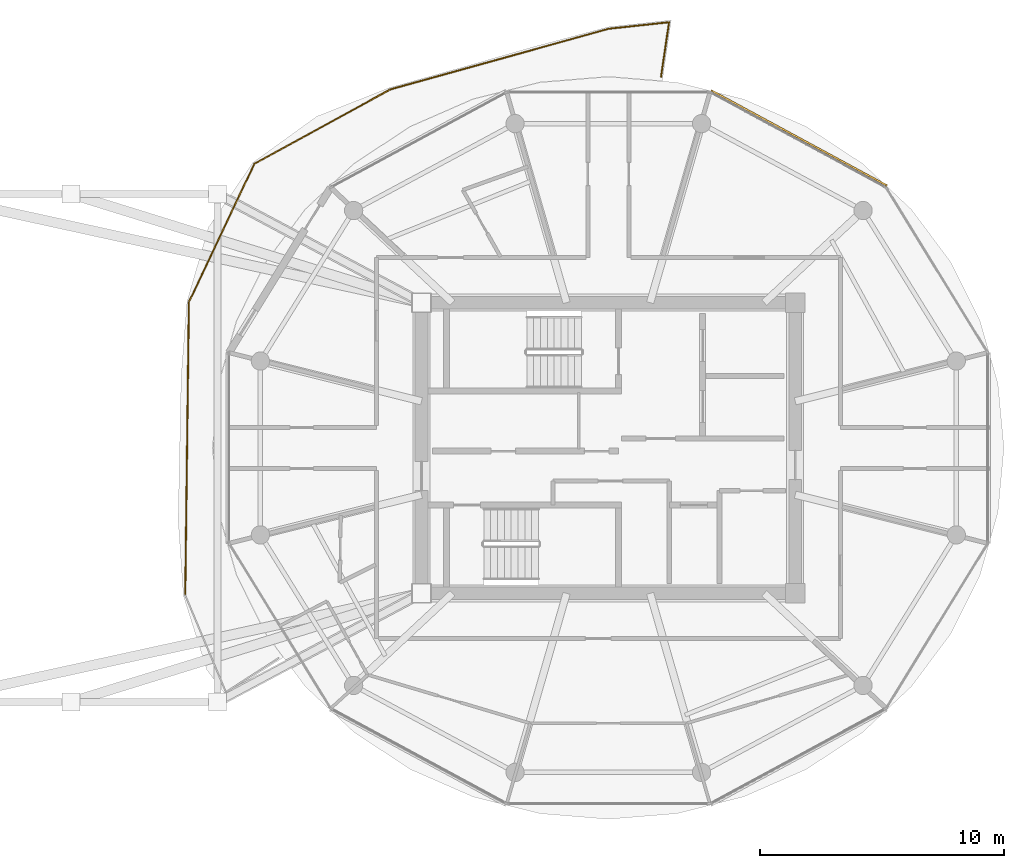
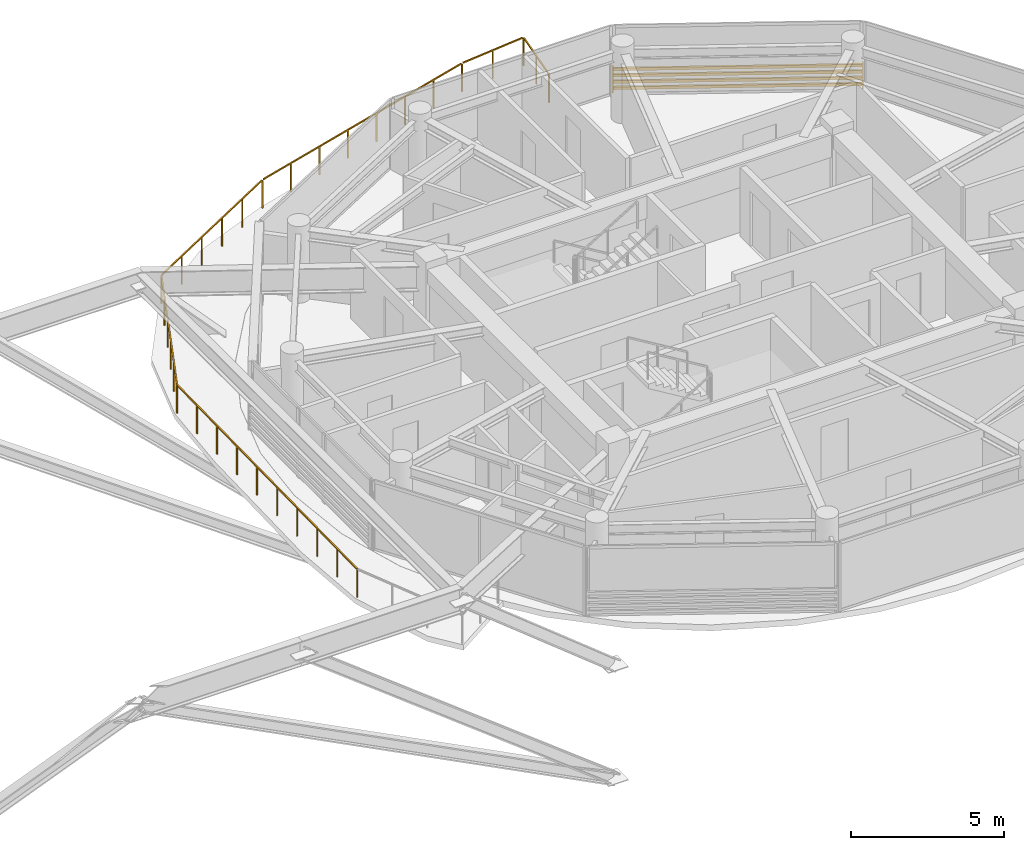
# One storey, part 23 of 23: 1 railing, 1 shading device.
"""IFC4 building model written with IfcOpenShell, lengths in metres."""

from ifc_helpers import new_model, si_unit, direction, frame, origin, origin_2d, place, context, subcontext, project, spatial, rectangle, extrude, source, transform, mapped, material, type_object, type_shapes, element, save


model = new_model("IFC4")

# Units and contexts
model_context = context("Model", 3, precision=1e-05, world=origin(), true_north=direction((0.0, 1.0)))
body_context = subcontext(model_context, "Body", "Model", "MODEL_VIEW")
ifc_project = project(units=[si_unit("LENGTHUNIT", "METRE"), si_unit("AREAUNIT", "SQUARE_METRE"), si_unit("VOLUMEUNIT", "CUBIC_METRE"), si_unit("PLANEANGLEUNIT", "RADIAN"), si_unit("MASSUNIT", "GRAM", prefix="KILO")], contexts=[model_context])

# Site, building, storey
site_placement = place(None, origin())
site = spatial("IfcSite", under=ifc_project, at=site_placement, CompositionType="ELEMENT")
building_placement = place(site_placement, origin())
building = spatial("IfcBuilding", under=site, at=building_placement, Name="Norrkilde Senior Care Towers", CompositionType="ELEMENT")
storey_placement = place(building_placement, frame((0.0, 0.0, 196.75)))
storey = spatial("IfcBuildingStorey", under=building, at=storey_placement, Name="L61", CompositionType="ELEMENT", Elevation=196.75)

# Railing
ifc_material_1 = material(Name="Anodised Aluminium", Category="aluminium")
railing_type = type_object("IfcRailingType", Name="Balcony Swirl Ribbon Guardrail 1150", PredefinedType="GUARDRAIL", material=ifc_material_1)
railing_placement = place(storey_placement, frame((10.67578125, -6.029541015625, 0.0)))
element("IfcRailing", 1, at=railing_placement, inside=storey, type_object=railing_type, Name="L61 Perimeter Safety Guard 01", PredefinedType="GUARDRAIL", context=body_context, shape_type="SweptSolid", body=[
    extrude(rectangle(XDim=0.048095703125, YDim=0.048095703125, at=origin_2d()), frame((0.0, 0.0, 1.1259765625), z_axis=(0.012387169958, 0.999923276067, 0.0), x_axis=(-0.999923276067, 0.012387169958, 0.0)), (0.0, 0.0, 1.0), 11.9619140625),
    extrude(rectangle(XDim=0.048095703125, YDim=0.048095703125, at=origin_2d()), frame((0.166259765625, 12.038818359375, 1.1259765625), z_axis=(0.427895258045, 0.903828328911, 0.0), x_axis=(-0.903828328911, 0.427895258045, 0.0)), (0.0, 0.0, 1.0), 6.1796875),
    extrude(rectangle(XDim=0.048095703125, YDim=0.048095703125, at=origin_2d()), frame((2.86376953125, 17.6806640625, 1.1259765625), z_axis=(0.876916603029, 0.480642560884, 0.0), x_axis=(-0.480642560884, 0.876916603029, 0.0)), (0.0, 0.0, 1.0), 6.258544921875),
    extrude(rectangle(XDim=0.048095703125, YDim=0.048095703125, at=origin_2d()), frame((8.427001953125, 20.719482421875, 1.1259765625), z_axis=(0.963527698075, 0.267608622886, 0.0), x_axis=(-0.267608622886, 0.963527698075, 0.0)), (0.0, 0.0, 1.0), 9.208251953125),
    extrude(rectangle(XDim=0.048095703125, YDim=0.048095703125, at=origin_2d()), frame((17.37939453125, 23.198974609375, 1.1259765625), z_axis=(0.994152720815, 0.107983182465, 0.0), x_axis=(-0.107983182465, 0.994152720815, 0.0)), (0.0, 0.0, 1.0), 2.403076171875),
    extrude(rectangle(XDim=0.048095703125, YDim=0.048095703125, at=origin_2d()), frame((19.80322265625, 23.42236328125, 1.1259765625), z_axis=(-0.145590667204, -0.989344913376, 0.0), x_axis=(0.989344913376, -0.145590667204, 0.0)), (0.0, 0.0, 1.0), 2.212890625),
    extrude(rectangle(XDim=0.0419921875, YDim=0.0419921875, at=origin_2d()), origin(), (0.0, 0.0, 1.0), 1.099853515625),
    extrude(rectangle(XDim=0.0419921875, YDim=0.0419921875, at=origin_2d()), frame((0.0166015625, 1.33349609375, 0.0)), (0.0, 0.0, 1.0), 1.099853515625),
    extrude(rectangle(XDim=0.0419921875, YDim=0.0419921875, at=origin_2d()), frame((0.032958984375, 2.6669921875, 0.0)), (0.0, 0.0, 1.0), 1.099853515625),
    extrude(rectangle(XDim=0.0419921875, YDim=0.0419921875, at=origin_2d()), frame((0.049560546875, 4.000732421875, 0.0)), (0.0, 0.0, 1.0), 1.099853515625),
    extrude(rectangle(XDim=0.0419921875, YDim=0.0419921875, at=origin_2d()), frame((0.066162109375, 5.334228515625, 0.0)), (0.0, 0.0, 1.0), 1.099853515625),
    extrude(rectangle(XDim=0.0419921875, YDim=0.0419921875, at=origin_2d()), frame((0.08251953125, 6.667724609375, 0.0)), (0.0, 0.0, 1.0), 1.099853515625),
    extrude(rectangle(XDim=0.0419921875, YDim=0.0419921875, at=origin_2d()), frame((0.09912109375, 8.001220703125, 0.0)), (0.0, 0.0, 1.0), 1.099853515625),
    extrude(rectangle(XDim=0.0419921875, YDim=0.0419921875, at=origin_2d()), frame((0.11572265625, 9.3349609375, 0.0)), (0.0, 0.0, 1.0), 1.099853515625),
    extrude(rectangle(XDim=0.0419921875, YDim=0.0419921875, at=origin_2d()), frame((0.132080078125, 10.66845703125, 0.0)), (0.0, 0.0, 1.0), 1.099853515625),
    extrude(rectangle(XDim=0.0419921875, YDim=0.0419921875, at=origin_2d()), frame((0.148681640625, 12.001953125, 0.0)), (0.0, 0.0, 1.0), 1.099853515625),
    extrude(rectangle(XDim=0.0419921875, YDim=0.0419921875, at=origin_2d()), frame((0.6845703125, 13.1337890625, 0.0)), (0.0, 0.0, 1.0), 1.099853515625),
    extrude(rectangle(XDim=0.0419921875, YDim=0.0419921875, at=origin_2d()), frame((1.220458984375, 14.265625, 0.0)), (0.0, 0.0, 1.0), 1.099853515625),
    extrude(rectangle(XDim=0.0419921875, YDim=0.0419921875, at=origin_2d()), frame((1.756103515625, 15.3974609375, 0.0)), (0.0, 0.0, 1.0), 1.099853515625),
    extrude(rectangle(XDim=0.0419921875, YDim=0.0419921875, at=origin_2d()), frame((2.2919921875, 16.529296875, 0.0)), (0.0, 0.0, 1.0), 1.099853515625),
    extrude(rectangle(XDim=0.0419921875, YDim=0.0419921875, at=origin_2d()), frame((2.827880859375, 17.6611328125, 0.0)), (0.0, 0.0, 1.0), 1.099853515625),
    extrude(rectangle(XDim=0.0419921875, YDim=0.0419921875, at=origin_2d()), frame((3.93994140625, 18.2705078125, 0.0)), (0.0, 0.0, 1.0), 1.099853515625),
    extrude(rectangle(XDim=0.0419921875, YDim=0.0419921875, at=origin_2d()), frame((5.0517578125, 18.880126953125, 0.0)), (0.0, 0.0, 1.0), 1.099853515625),
    extrude(rectangle(XDim=0.0419921875, YDim=0.0419921875, at=origin_2d()), frame((6.163818359375, 19.489501953125, 0.0)), (0.0, 0.0, 1.0), 1.099853515625),
    extrude(rectangle(XDim=0.0419921875, YDim=0.0419921875, at=origin_2d()), frame((7.275634765625, 20.09912109375, 0.0)), (0.0, 0.0, 1.0), 1.099853515625),
    extrude(rectangle(XDim=0.0419921875, YDim=0.0419921875, at=origin_2d()), frame((8.3876953125, 20.70849609375, 0.0)), (0.0, 0.0, 1.0), 1.099853515625),
    extrude(rectangle(XDim=0.0419921875, YDim=0.0419921875, at=origin_2d()), frame((9.66650390625, 21.063720703125, 0.0)), (0.0, 0.0, 1.0), 1.099853515625),
    extrude(rectangle(XDim=0.0419921875, YDim=0.0419921875, at=origin_2d()), frame((10.945068359375, 21.418701171875, 0.0)), (0.0, 0.0, 1.0), 1.099853515625),
    extrude(rectangle(XDim=0.0419921875, YDim=0.0419921875, at=origin_2d()), frame((12.223876953125, 21.77392578125, 0.0)), (0.0, 0.0, 1.0), 1.099853515625),
    extrude(rectangle(XDim=0.0419921875, YDim=0.0419921875, at=origin_2d()), frame((13.502685546875, 22.129150390625, 0.0)), (0.0, 0.0, 1.0), 1.099853515625),
    extrude(rectangle(XDim=0.0419921875, YDim=0.0419921875, at=origin_2d()), frame((14.781494140625, 22.484375, 0.0)), (0.0, 0.0, 1.0), 1.099853515625),
    extrude(rectangle(XDim=0.0419921875, YDim=0.0419921875, at=origin_2d()), frame((16.06005859375, 22.83935546875, 0.0)), (0.0, 0.0, 1.0), 1.099853515625),
    extrude(rectangle(XDim=0.0419921875, YDim=0.0419921875, at=origin_2d()), frame((17.3388671875, 23.194580078125, 0.0)), (0.0, 0.0, 1.0), 1.099853515625),
    extrude(rectangle(XDim=0.0419921875, YDim=0.0419921875, at=origin_2d()), frame((18.573974609375, 23.32861328125, 0.0)), (0.0, 0.0, 1.0), 1.099853515625),
    extrude(rectangle(XDim=0.0419921875, YDim=0.0419921875, at=origin_2d()), frame((19.80908203125, 23.462890625, 0.0)), (0.0, 0.0, 1.0), 1.099853515625),
    extrude(rectangle(XDim=0.0419921875, YDim=0.0419921875, at=origin_2d()), frame((19.64501953125, 22.34814453125, 0.0)), (0.0, 0.0, 1.0), 1.099853515625),
    extrude(rectangle(XDim=0.0419921875, YDim=0.0419921875, at=origin_2d()), frame((19.48095703125, 21.233154296875, 0.0)), (0.0, 0.0, 1.0), 1.099853515625),
])

# Shading device
ifc_material_2 = material(Name="Architectural Terracotta", Category="masonry")
shading_device_type = type_object("IfcShadingDeviceType", Name="Horizontal Terracotta Baguette Rack", PredefinedType="USERDEFINED", material=ifc_material_2)
shared_shape = source(origin(), body_context, "Body", "SweptSolid", [
    extrude(rectangle(XDim=0.070068359375, YDim=0.110107421875, at=origin_2d()), frame((0.0, 0.090087890625, 0.125), z_axis=(1.0, 0.0, 0.0), x_axis=(0.0, 1.0, 0.0)), (0.0, 0.0, 1.0), 8.197265625),
    extrude(rectangle(XDim=0.070068359375, YDim=0.110107421875, at=origin_2d()), frame((0.0, 0.090087890625, 0.375), z_axis=(1.0, 0.0, 0.0), x_axis=(0.0, 1.0, 0.0)), (0.0, 0.0, 1.0), 8.197265625),
    extrude(rectangle(XDim=0.070068359375, YDim=0.110107421875, at=origin_2d()), frame((0.0, 0.090087890625, 0.625), z_axis=(1.0, 0.0, 0.0), x_axis=(0.0, 1.0, 0.0)), (0.0, 0.0, 1.0), 8.197265625),
    extrude(rectangle(XDim=0.070068359375, YDim=0.110107421875, at=origin_2d()), frame((0.0, 0.090087890625, 0.875), z_axis=(1.0, 0.0, 0.0), x_axis=(0.0, 1.0, 0.0)), (0.0, 0.0, 1.0), 8.197265625),
    extrude(rectangle(XDim=0.050048828125, YDim=0.1552734375, at=origin_2d()), frame((0.02490234375, 0.047607421875, 0.0)), (0.0, 0.0, 1.0), 1.0),
    extrude(rectangle(XDim=0.050048828125, YDim=0.1552734375, at=origin_2d()), frame((8.17236328125, 0.047607421875, 0.0)), (0.0, 0.0, 1.0), 1.0),
])
type_shapes(shading_device_type, [shared_shape])
shading_device_placement = place(storey_placement, frame((32.161865234375, 14.566162109375, 0.080078125), z_axis=(0.0, 0.0, 1.0), x_axis=(0.879378127234, -0.476143674053, 0.0)))
element("IfcShadingDevice", 2, at=shading_device_placement, inside=storey, type_object=shading_device_type, Name="L61 Drum E Terracotta Baguette Screen 01", ObjectType="BAGUETTE", PredefinedType="USERDEFINED", context=body_context, shape_type="MappedRepresentation", body=[
    mapped(shared_shape, transform((0.0, 0.0, 0.0), x_axis=(1.0, 0.0, 0.0), y_axis=(0.0, 1.0, 0.0), z_axis=(0.0, 0.0, 1.0), scale=1.0)),
])

save(model, "model.ifc")
